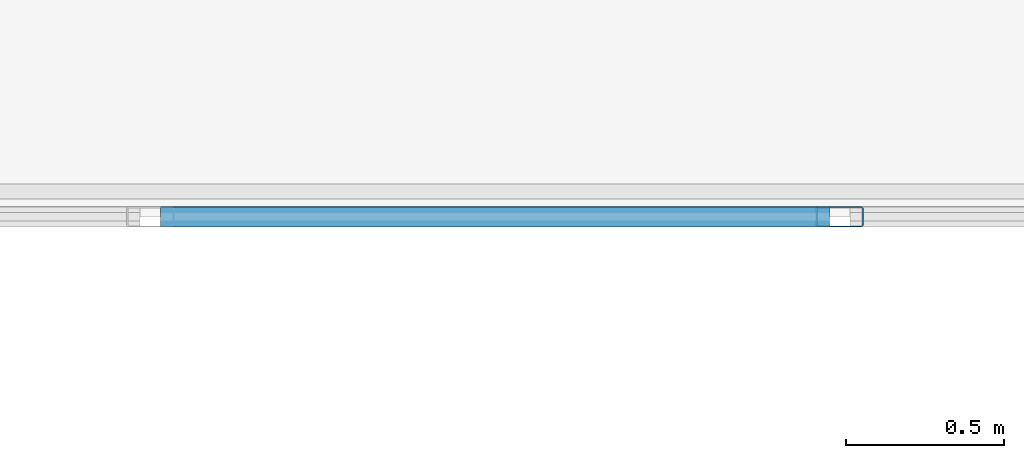
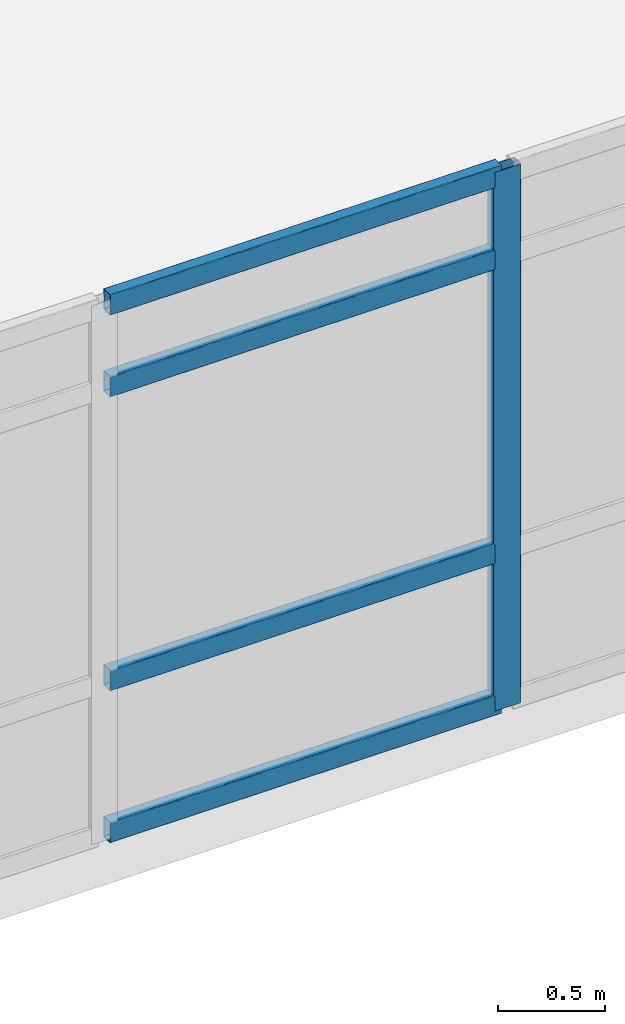
# One storey, part 98 of 180: 5 members, 1 element without a shape of its own.
"""IFC4 building model written with IfcOpenShell, lengths in metres."""

from ifc_helpers import new_model, si_unit, direction, frame, origin, origin_2d, place, context, subcontext, project, spatial, hollow_rectangle, extrude, material, layer, layer_set, material_profile, profile_set, type_object, element, aggregate, save


model = new_model("IFC4")

# Units and contexts
model_context = context("Model", 3, precision=1e-05, world=origin(), true_north=direction((0.0, 1.0)))
body_context = subcontext(model_context, "Body", "Model", "MODEL_VIEW")
ifc_project = project(units=[si_unit("LENGTHUNIT", "METRE"), si_unit("AREAUNIT", "SQUARE_METRE"), si_unit("VOLUMEUNIT", "CUBIC_METRE"), si_unit("PLANEANGLEUNIT", "RADIAN"), si_unit("MASSUNIT", "GRAM", prefix="KILO")], contexts=[model_context])

# Site, building, storey
site_placement = place(None, origin())
site = spatial("IfcSite", under=ifc_project, at=site_placement, CompositionType="ELEMENT")
building_placement = place(site_placement, origin())
building = spatial("IfcBuilding", under=site, at=building_placement, Name="Asteropetra Specialist Clinic", CompositionType="ELEMENT")
storey_placement = place(building_placement, frame((0.0, 0.0, 4.419921875)))
storey = spatial("IfcBuildingStorey", under=building, at=storey_placement, Name="L01", CompositionType="ELEMENT", Elevation=4.419921875)

# Curtain wall, members
ifc_material_1 = material(Name="Aluminium and low-E glass", Category="aluminium")
ifc_layer = layer(ifc_material_1, 0.14990234375)
ifc_layer_set = layer_set([ifc_layer], Name="Aluminium and low-E glass")
curtain_wall_type = type_object("IfcCurtainWallType", Name="CW-SYS-05", PredefinedType="USERDEFINED", material=ifc_layer_set)
curtain_wall_placement = place(storey_placement, origin())
curtain_wall = element("IfcCurtainWall", 1, at=curtain_wall_placement, inside=storey, type_object=curtain_wall_type, Name="Curtain Wall CW-028", ObjectType="UNITISED CURTAIN WALL", PredefinedType="USERDEFINED")
ifc_material_2 = material(Name="Aluminium 6063-T6", Category="aluminium")
ifc_material_profile_1 = material_profile(ifc_material_2, hollow_rectangle(XDim=0.06494140625, YDim=0.14990234375, WallThickness=0.00390625, InnerFilletRadius=0.00390625, OuterFilletRadius=0.008056640625, at=origin_2d()), Name="MUL 150x65x4.0")
ifc_profile_set_1 = profile_set([ifc_material_profile_1], Name="Aluminium 6063-T6")
member_type_1 = type_object("IfcMemberType", Name="CWM-150x65", PredefinedType="MULLION", material=ifc_profile_set_1)
member_1_placement = place(storey_placement, frame((62.39990234375, 95.199951171875, 0.0), z_axis=(0.0, 0.0, 1.0), x_axis=(0.0, -1.0, 0.0)))
member_1 = element("IfcMember", 2, at=member_1_placement, type_object=member_type_1, Name="CW-028 mullion 3", PredefinedType="MULLION", context=body_context, shape_type="SweptSolid", body=[
    extrude(hollow_rectangle(XDim=0.06494140625, YDim=0.14990234375, WallThickness=0.00390625, InnerFilletRadius=0.00390625, OuterFilletRadius=0.008056640625, at=origin_2d()), origin(), (0.0, 0.0, 1.0), 3.080078125),
])
ifc_material_3 = material(Name="Aluminium 6063-T6", Category="aluminium")
ifc_material_profile_2 = material_profile(ifc_material_3, hollow_rectangle(XDim=0.06494140625, YDim=0.1201171875, WallThickness=0.00390625, InnerFilletRadius=0.00390625, OuterFilletRadius=0.008056640625, at=origin_2d()), Name="TRN 120x65x4.0")
ifc_profile_set_2 = profile_set([ifc_material_profile_2], Name="Aluminium 6063-T6")
member_type_2 = type_object("IfcMemberType", Name="CWT-120x65", PredefinedType="USERDEFINED", material=ifc_profile_set_2)
member_2_placement = place(storey_placement, frame((62.367431640625, 95.199951171875, 0.032470703125), z_axis=(-1.0, 0.0, 0.0), x_axis=(0.0, -1.0, 0.0)))
member_2 = element("IfcMember", 3, at=member_2_placement, type_object=member_type_2, Name="CW-028 transom 3.1", ObjectType="TRANSOM", PredefinedType="USERDEFINED", context=body_context, shape_type="SweptSolid", body=[
    extrude(hollow_rectangle(XDim=0.06494140625, YDim=0.1201171875, WallThickness=0.00390625, InnerFilletRadius=0.00390625, OuterFilletRadius=0.008056640625, at=origin_2d()), origin(), (0.0, 0.0, 1.0), 2.114990234375),
])
member_3_placement = place(storey_placement, frame((62.367431640625, 95.199951171875, 0.900146484375), z_axis=(-1.0, 0.0, 0.0), x_axis=(0.0, -1.0, 0.0)))
member_3 = element("IfcMember", 4, at=member_3_placement, type_object=member_type_2, Name="CW-028 transom 3.2", ObjectType="TRANSOM", PredefinedType="USERDEFINED", context=body_context, shape_type="SweptSolid", body=[
    extrude(hollow_rectangle(XDim=0.06494140625, YDim=0.1201171875, WallThickness=0.00390625, InnerFilletRadius=0.00390625, OuterFilletRadius=0.008056640625, at=origin_2d()), origin(), (0.0, 0.0, 1.0), 2.114990234375),
])
member_4_placement = place(storey_placement, frame((62.367431640625, 95.199951171875, 2.580078125), z_axis=(-1.0, 0.0, 0.0), x_axis=(0.0, -1.0, 0.0)))
member_4 = element("IfcMember", 5, at=member_4_placement, type_object=member_type_2, Name="CW-028 transom 3.3", ObjectType="TRANSOM", PredefinedType="USERDEFINED", context=body_context, shape_type="SweptSolid", body=[
    extrude(hollow_rectangle(XDim=0.06494140625, YDim=0.1201171875, WallThickness=0.00390625, InnerFilletRadius=0.00390625, OuterFilletRadius=0.008056640625, at=origin_2d()), origin(), (0.0, 0.0, 1.0), 2.114990234375),
])
member_5_placement = place(storey_placement, frame((62.367431640625, 95.199951171875, 3.047607421875), z_axis=(-1.0, 0.0, 0.0), x_axis=(0.0, -1.0, 0.0)))
member_5 = element("IfcMember", 6, at=member_5_placement, type_object=member_type_2, Name="CW-028 transom 3.4", ObjectType="TRANSOM", PredefinedType="USERDEFINED", context=body_context, shape_type="SweptSolid", body=[
    extrude(hollow_rectangle(XDim=0.06494140625, YDim=0.1201171875, WallThickness=0.00390625, InnerFilletRadius=0.00390625, OuterFilletRadius=0.008056640625, at=origin_2d()), origin(), (0.0, 0.0, 1.0), 2.114990234375),
])
aggregate(curtain_wall, [member_1, member_2, member_3, member_4, member_5])

save(model, "model.ifc")
